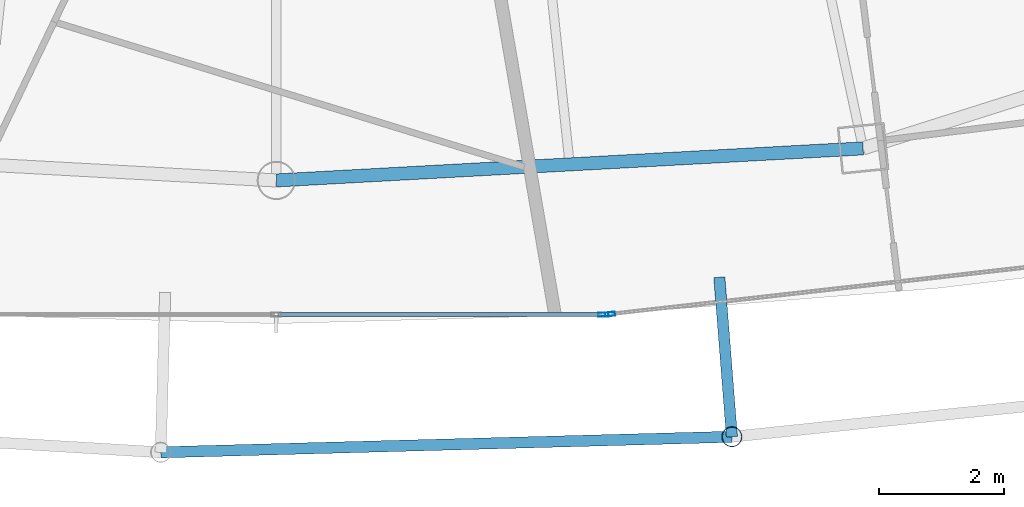
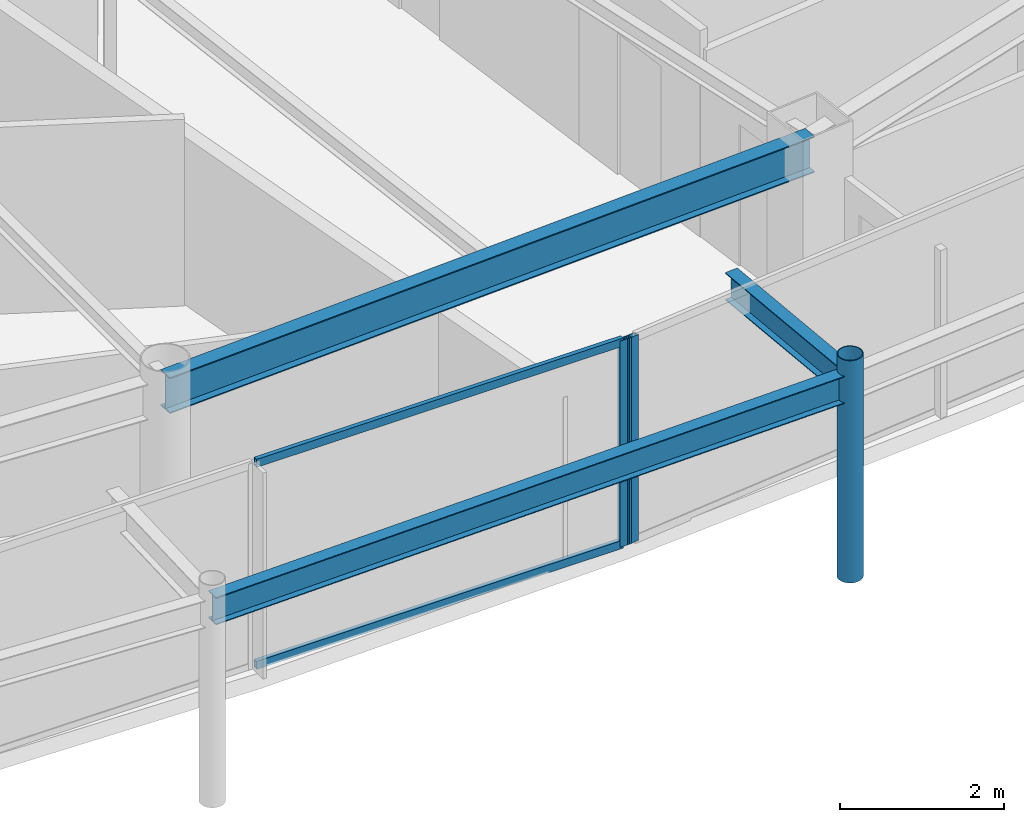
# One storey, part 9 of 33: 5 members, 3 beams, 2 elements without a shape of their own.
"""IFC4 building model written with IfcOpenShell, lengths in metres."""

from ifc_helpers import new_model, si_unit, direction, frame, origin, origin_2d, place, context, subcontext, project, spatial, hollow_rectangle, hollow_circle, i_section, extrude, material, layer, layer_set, material_profile, profile_set, type_object, element, aggregate, save


model = new_model("IFC4")

# Units and contexts
model_context = context("Model", 3, precision=1e-05, world=origin(), true_north=direction((0.0, 1.0)))
body_context = subcontext(model_context, "Body", "Model", "MODEL_VIEW")
ifc_project = project(units=[si_unit("LENGTHUNIT", "METRE"), si_unit("AREAUNIT", "SQUARE_METRE"), si_unit("VOLUMEUNIT", "CUBIC_METRE"), si_unit("PLANEANGLEUNIT", "RADIAN"), si_unit("MASSUNIT", "GRAM", prefix="KILO")], contexts=[model_context])

# Site, building, storey
site_placement = place(None, origin())
site = spatial("IfcSite", under=ifc_project, at=site_placement, CompositionType="ELEMENT")
building_placement = place(site_placement, origin())
building = spatial("IfcBuilding", under=site, at=building_placement, Name="Orvanel Arch Residences", CompositionType="ELEMENT")
storey_placement = place(building_placement, frame((0.0, 0.0, 206.300048828125)))
storey = spatial("IfcBuildingStorey", under=building, at=storey_placement, Name="L58", CompositionType="ELEMENT", Elevation=206.300048828125)

# Curtain wall, member
ifc_material_1 = material(Name="Bronze-anodised aluminium AA6063-T6", Category="aluminium")
ifc_layer = layer(ifc_material_1, 0.175048828125)
ifc_layer_set = layer_set([ifc_layer], Name="Bronze-anodised aluminium AA6063-T6")
curtain_wall_type = type_object("IfcCurtainWallType", Name="CW4-HI-SYS", PredefinedType="NOTDEFINED", material=ifc_layer_set)
curtain_wall_1_placement = place(storey_placement, origin())
curtain_wall_1 = element("IfcCurtainWall", 1, at=curtain_wall_1_placement, inside=storey, type_object=curtain_wall_type, Name="L58 CW4-HI-SYS Unitised Curtain Wall", PredefinedType="NOTDEFINED")
ifc_material_profile_1 = material_profile(ifc_material_1, hollow_rectangle(XDim=0.06494140625, YDim=0.159912109375, WallThickness=0.00390625, at=origin_2d()), Name="ALU160x65x4")
ifc_profile_set_1 = profile_set([ifc_material_profile_1], Name="Bronze-anodised aluminium AA6063-T6")
member_type_1 = type_object("IfcMemberType", Name="MUL-160x65", PredefinedType="MULLION", material=ifc_profile_set_1)
member_1_placement = place(storey_placement, frame((38.214599609375, 4.70703125, 0.0), z_axis=(0.0, 0.0, 1.0), x_axis=(0.0, 1.0, 0.0)))
member_1 = element("IfcMember", 2, at=member_1_placement, type_object=member_type_1, Name="CW-S4 mullion 3", PredefinedType="MULLION", context=body_context, shape_type="SweptSolid", body=[
    extrude(hollow_rectangle(XDim=0.06494140625, YDim=0.159912109375, WallThickness=0.00390625, at=origin_2d()), origin(), (0.0, 0.0, 1.0), 3.06005859375),
])

curtain_wall_2_placement = place(storey_placement, origin())
curtain_wall_2 = element("IfcCurtainWall", 3, at=curtain_wall_2_placement, inside=storey, type_object=curtain_wall_type, Name="L58 CW4-HI-SYS Unitised Curtain Wall", PredefinedType="NOTDEFINED")
member_2_placement = place(storey_placement, frame((38.3193359375, 4.712646484375, 0.0), z_axis=(0.0, 0.0, 1.0), x_axis=(-0.11203680669, 0.993704057528, 0.0)))
member_2 = element("IfcMember", 4, at=member_2_placement, type_object=member_type_1, Name="CW-S4 mullion 1", PredefinedType="MULLION", context=body_context, shape_type="SweptSolid", body=[
    extrude(hollow_rectangle(XDim=0.06494140625, YDim=0.159912109375, WallThickness=0.00390625, at=origin_2d()), origin(), (0.0, 0.0, 1.0), 3.06005859375),
])
aggregate(curtain_wall_2, [member_2])

# Beams
ifc_material_2 = material(Name="Structural steel AS/NZS 3679.1 Grade 300 (300 MPa)", Category="steel")
ifc_material_profile_2 = material_profile(ifc_material_2, i_section(OverallWidth=0.177978515625, OverallDepth=0.406005859375, WebThickness=0.0078125, FlangeThickness=0.0126953125, at=origin_2d()), Name="410UB59.7")
ifc_profile_set_2 = profile_set([ifc_material_profile_2], Name="Structural steel AS/NZS 3679.1 Grade 300 (300 MPa)")
beam_type_1 = type_object("IfcBeamType", Name="OB-410UB-EXT", PredefinedType="SPANDREL", material=ifc_profile_set_2)
beam_1_placement = place(storey_placement, frame((31.157958984375, 2.510986328125, 2.85693359375), z_axis=(0.999628957152, 0.027238722858, 0.0), x_axis=(-0.027238722858, 0.999628957152, 0.0)))
element("IfcBeam", 5, at=beam_1_placement, inside=storey, type_object=beam_type_1, Name="L58 Outer Perimeter Floor Ring Beam 06", PredefinedType="SPANDREL", context=body_context, shape_type="SweptSolid", body=[
    extrude(i_section(OverallWidth=0.177978515625, OverallDepth=0.406005859375, WebThickness=0.0078125, FlangeThickness=0.0126953125, at=origin_2d()), origin(), (0.0, 0.0, 1.0), 9.1064453125),
])
beam_2_placement = place(storey_placement, frame((40.06005859375, 5.301025390625, 2.85693359375), z_axis=(0.078797636407, -0.996890632164, 0.0), x_axis=(0.996890632164, 0.078797636407, 0.0)))
element("IfcBeam", 6, at=beam_2_placement, inside=storey, type_object=beam_type_1, Name="L58 Outer Frame Radial Tie Beam 07", PredefinedType="SPANDREL", context=body_context, shape_type="SweptSolid", body=[
    extrude(i_section(OverallWidth=0.177978515625, OverallDepth=0.406005859375, WebThickness=0.0078125, FlangeThickness=0.0126953125, at=origin_2d()), origin(), (0.0, 0.0, 1.0), 2.5498046875),
])
ifc_material_profile_3 = material_profile(ifc_material_2, i_section(OverallWidth=0.208984375, OverallDepth=0.532958984375, WebThickness=0.01025390625, FlangeThickness=0.015625, at=origin_2d()), Name="530UB92.4")
ifc_profile_set_3 = profile_set([ifc_material_profile_3], Name="Structural steel AS/NZS 3679.1 Grade 300 (300 MPa)")
beam_type_2 = type_object("IfcBeamType", Name="SP-530UB", PredefinedType="SPANDREL", material=ifc_profile_set_3)
beam_3_placement = place(storey_placement, frame((33.0, 6.843994140625, 2.7939453125), z_axis=(0.998510315598, 0.054563262768, 0.0), x_axis=(-0.054563262768, 0.998510315598, 0.0)))
element("IfcBeam", 7, at=beam_3_placement, inside=storey, type_object=beam_type_2, Name="L58 Perimeter Spandrel Beam 04", PredefinedType="SPANDREL", context=body_context, shape_type="SweptSolid", body=[
    extrude(i_section(OverallWidth=0.208984375, OverallDepth=0.532958984375, WebThickness=0.01025390625, FlangeThickness=0.015625, at=origin_2d()), origin(), (0.0, 0.0, 1.0), 9.364990234375),
])

# Member
ifc_material_3 = material(Name="Structural steel AS/NZS 1163 C350L0 (Grade 350)", Category="steel")
ifc_material_profile_4 = material_profile(ifc_material_3, hollow_circle(Radius=0.162109375, WallThickness=0.0126953125, at=origin_2d()), Name="CHS324x12.7")
ifc_profile_set_4 = profile_set([ifc_material_profile_4], Name="Structural steel AS/NZS 1163 C350L0 (Grade 350)")
member_type_2 = type_object("IfcMemberType", Name="ST-324CHS-EXT", PredefinedType="STRUT", material=ifc_profile_set_4)
member_3_placement = place(storey_placement, frame((40.260986328125, 2.759033203125, 0.0), z_axis=(0.0, 0.0, 1.0), x_axis=(1.0, 0.0, 0.0)))
element("IfcMember", 8, at=member_3_placement, inside=storey, type_object=member_type_2, Name="L58 Outer Perimeter Frame Post 07", PredefinedType="STRUT", context=body_context, shape_type="SweptSolid", body=[
    extrude(hollow_circle(Radius=0.162109375, WallThickness=0.0126953125, at=origin_2d()), origin(), (0.0, 0.0, 1.0), 3.300048828125),
])

ifc_material_profile_5 = material_profile(ifc_material_1, hollow_rectangle(XDim=0.06005859375, YDim=0.1201171875, WallThickness=0.00341796875, at=origin_2d()), Name="ALU120x60x3.5")
ifc_profile_set_5 = profile_set([ifc_material_profile_5], Name="Bronze-anodised aluminium AA6063-T6")
member_type_3 = type_object("IfcMemberType", Name="TRN-120x60", PredefinedType="USERDEFINED", material=ifc_profile_set_5)
member_4_placement = place(storey_placement, frame((33.032470703125, 4.70703125, 0.030029296875), z_axis=(1.0, 0.0, 0.0), x_axis=(0.0, 1.0, 0.0)))
member_4 = element("IfcMember", 9, at=member_4_placement, type_object=member_type_3, Name="CW-S4 transom 2.1", ObjectType="TRANSOM", PredefinedType="USERDEFINED", context=body_context, shape_type="SweptSolid", body=[
    extrude(hollow_rectangle(XDim=0.06005859375, YDim=0.1201171875, WallThickness=0.00341796875, at=origin_2d()), origin(), (0.0, 0.0, 1.0), 5.1494140625),
])

member_5_placement = place(storey_placement, frame((33.032470703125, 4.70703125, 3.030029296875), z_axis=(1.0, 0.0, 0.0), x_axis=(0.0, 1.0, 0.0)))
member_5 = element("IfcMember", 10, at=member_5_placement, type_object=member_type_3, Name="CW-S4 transom 2.2", ObjectType="TRANSOM", PredefinedType="USERDEFINED", context=body_context, shape_type="SweptSolid", body=[
    extrude(hollow_rectangle(XDim=0.06005859375, YDim=0.1201171875, WallThickness=0.00341796875, at=origin_2d()), origin(), (0.0, 0.0, 1.0), 5.1494140625),
])

aggregate(curtain_wall_1, [member_1, member_4, member_5])

save(model, "model.ifc")
